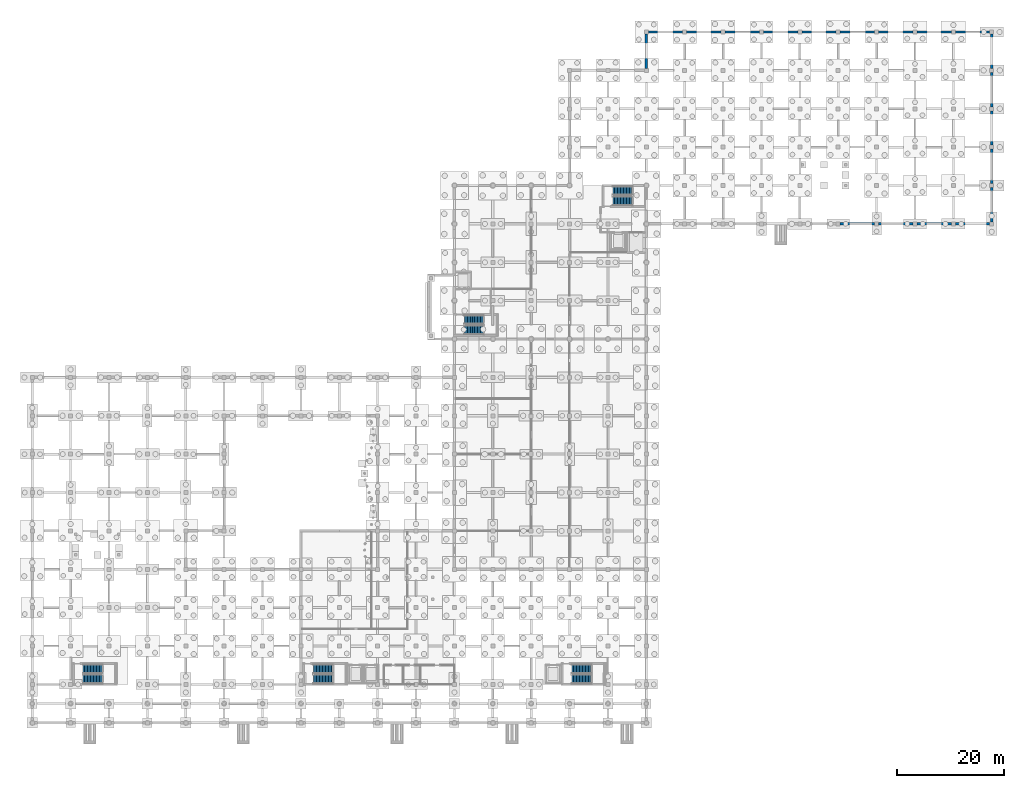
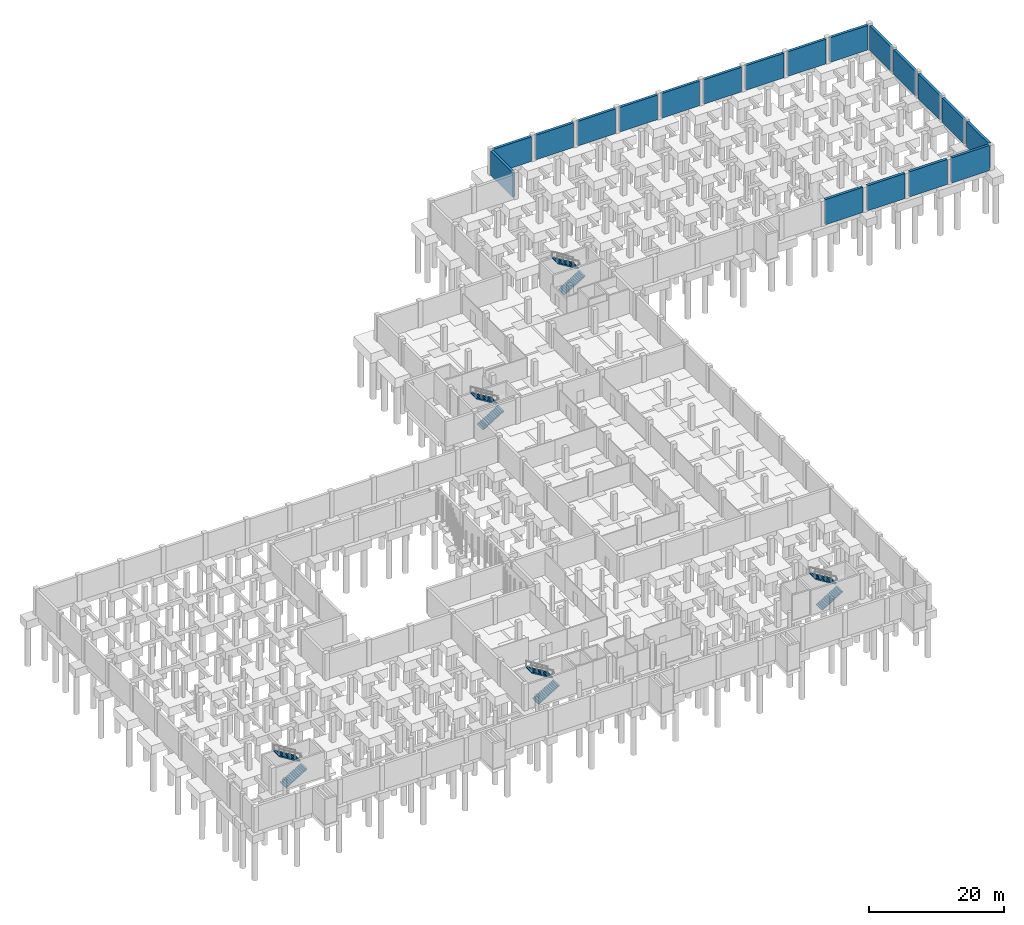
# One storey, part 29 of 35: 19 walls, 10 stair flights, 5 elements without a shape of their own.
"""IFC4 building model written with IfcOpenShell, lengths in metres."""

from ifc_helpers import new_model, si_unit, direction, frame, frame_2d, origin, place, context, subcontext, project, spatial, polyline, rectangle, outline, extrude, material, layer, layer_set, type_object, element, aggregate, save


model = new_model("IFC4")

# Units and contexts
model_context = context("Model", 3, precision=1e-05, world=origin(), true_north=direction((0.0, 1.0)))
body_context = subcontext(model_context, "Body", "Model", "MODEL_VIEW")
ifc_project = project(units=[si_unit("LENGTHUNIT", "METRE"), si_unit("AREAUNIT", "SQUARE_METRE"), si_unit("VOLUMEUNIT", "CUBIC_METRE"), si_unit("PLANEANGLEUNIT", "RADIAN"), si_unit("MASSUNIT", "GRAM", prefix="KILO"), si_unit("THERMODYNAMICTEMPERATUREUNIT", "KELVIN"), si_unit("POWERUNIT", "WATT")], contexts=[model_context])

# Site, building, storey
site_placement = place(None, origin())
site = spatial("IfcSite", under=ifc_project, at=site_placement, CompositionType="ELEMENT")
building_placement = place(site_placement, origin())
building = spatial("IfcBuilding", under=site, at=building_placement, Name="Kaldorven Railside Theatre", CompositionType="ELEMENT")
storey_placement = place(building_placement, frame((0.0, 0.0, -4.800048828125)))
storey = spatial("IfcBuildingStorey", under=building, at=storey_placement, Name="B1", CompositionType="ELEMENT", Elevation=-4.800048828125)

# Walls
ifc_material_1 = material(Name="Concrete C40/50", Category="concrete")
ifc_layer = layer(ifc_material_1, 0.449951171875, Name="Concrete C40/50")
ifc_layer_set = layer_set([ifc_layer], Name="Concrete C40/50")
wall_type = type_object("IfcWallType", Name="WL-EW01", PredefinedType="SHEAR", material=ifc_layer_set)
wall_1_placement = place(storey_placement, frame((123.199951171875, 134.77490234375, 0.0), z_axis=(0.0, 0.0, 1.0), x_axis=(0.0, 1.0, 0.0)))
element("IfcWall", 1, at=wall_1_placement, inside=storey, type_object=wall_type, Name="Basement Plinth Retaining Wall EW-0037", PredefinedType="SHEAR", context=body_context, shape_type="SweptSolid", body=[
    extrude(rectangle(XDim=6.4501953125, YDim=0.449951171875, at=frame_2d((3.22509765625, 0.0))), origin(), (0.0, 0.0, 1.0), 4.449951171875),
])
wall_2_placement = place(storey_placement, frame((123.574951171875, 141.60009765625, 0.0), z_axis=(0.0, 0.0, 1.0), x_axis=(1.0, 0.0, 0.0)))
element("IfcWall", 2, at=wall_2_placement, inside=storey, type_object=wall_type, Name="Basement Plinth Retaining Wall EW-0038", PredefinedType="SHEAR", context=body_context, shape_type="SweptSolid", body=[
    extrude(rectangle(XDim=6.449951171875, YDim=0.449951171875, at=frame_2d((3.22509765625, 0.0))), origin(), (0.0, 0.0, 1.0), 4.449951171875),
])
wall_3_placement = place(storey_placement, frame((130.77490234375, 141.60009765625, 0.0), z_axis=(0.0, 0.0, 1.0), x_axis=(1.0, 0.0, 0.0)))
element("IfcWall", 3, at=wall_3_placement, inside=storey, type_object=wall_type, Name="Basement Plinth Retaining Wall EW-0039", PredefinedType="SHEAR", context=body_context, shape_type="SweptSolid", body=[
    extrude(rectangle(XDim=6.4501953125, YDim=0.449951171875, at=frame_2d((3.22509765625, 0.0))), origin(), (0.0, 0.0, 1.0), 4.449951171875),
])
for number, where, z_axis, x_axis, name in (
    (4, (137.97509765625, 141.60009765625, 0.0), (0.0, 0.0, 1.0), (1.0, 0.0, 0.0), "Basement Plinth Retaining Wall EW-0040"),
    (5, (145.175048828125, 141.60009765625, 0.0), (0.0, 0.0, 1.0), (1.0, 0.0, 0.0), "Basement Plinth Retaining Wall EW-0041"),
    (6, (152.375, 141.60009765625, 0.0), (0.0, 0.0, 1.0), (1.0, 0.0, 0.0), "Basement Plinth Retaining Wall EW-0042"),
    (7, (159.574951171875, 141.60009765625, 0.0), (0.0, 0.0, 1.0), (1.0, 0.0, 0.0), "Basement Plinth Retaining Wall EW-0043"),
):
    element("IfcWall", number, at=place(storey_placement, frame(where, z_axis=z_axis, x_axis=x_axis)), inside=storey, type_object=wall_type, Name=name, PredefinedType="SHEAR", context=body_context, shape_type="SweptSolid", body=[
        extrude(rectangle(XDim=6.449951171875, YDim=0.449951171875, at=frame_2d((3.22509765625, 0.0))), origin(), (0.0, 0.0, 1.0), 4.449951171875),
    ])
wall_4_placement = place(storey_placement, frame((166.77490234375, 141.60009765625, 0.0), z_axis=(0.0, 0.0, 1.0), x_axis=(1.0, 0.0, 0.0)))
element("IfcWall", 8, at=wall_4_placement, inside=storey, type_object=wall_type, Name="Basement Plinth Retaining Wall EW-0044", PredefinedType="SHEAR", context=body_context, shape_type="SweptSolid", body=[
    extrude(rectangle(XDim=6.4501953125, YDim=0.449951171875, at=frame_2d((3.22509765625, 0.0))), origin(), (0.0, 0.0, 1.0), 4.449951171875),
])
for number, where, z_axis, x_axis, name in (
    (9, (173.97509765625, 141.60009765625, 0.0), (0.0, 0.0, 1.0), (1.0, 0.0, 0.0), "Basement Plinth Retaining Wall EW-0045"),
    (10, (181.175048828125, 141.60009765625, 0.0), (0.0, 0.0, 1.0), (1.0, 0.0, 0.0), "Basement Plinth Retaining Wall EW-0046"),
):
    element("IfcWall", number, at=place(storey_placement, frame(where, z_axis=z_axis, x_axis=x_axis)), inside=storey, type_object=wall_type, Name=name, PredefinedType="SHEAR", context=body_context, shape_type="SweptSolid", body=[
        extrude(rectangle(XDim=6.449951171875, YDim=0.449951171875, at=frame_2d((3.22509765625, 0.0))), origin(), (0.0, 0.0, 1.0), 4.449951171875),
    ])
wall_5_placement = place(storey_placement, frame((188.0, 141.22509765625, 0.0), z_axis=(0.0, 0.0, 1.0), x_axis=(0.0, -1.0, 0.0)))
element("IfcWall", 11, at=wall_5_placement, inside=storey, type_object=wall_type, Name="Basement Plinth Retaining Wall EW-0047", PredefinedType="SHEAR", context=body_context, shape_type="SweptSolid", body=[
    extrude(rectangle(XDim=6.4501953125, YDim=0.449951171875, at=frame_2d((3.22509765625, 0.0))), origin(), (0.0, 0.0, 1.0), 4.449951171875),
])
for number, where, z_axis, x_axis, name in (
    (12, (188.0, 134.02490234375, 0.0), (0.0, 0.0, 1.0), (0.0, -1.0, 0.0), "Basement Plinth Retaining Wall EW-0048"),
    (13, (188.0, 126.824951171875, 0.0), (0.0, 0.0, 1.0), (0.0, -1.0, 0.0), "Basement Plinth Retaining Wall EW-0049"),
    (14, (188.0, 119.625, 0.0), (0.0, 0.0, 1.0), (0.0, -1.0, 0.0), "Basement Plinth Retaining Wall EW-0050"),
):
    element("IfcWall", number, at=place(storey_placement, frame(where, z_axis=z_axis, x_axis=x_axis)), inside=storey, type_object=wall_type, Name=name, PredefinedType="SHEAR", context=body_context, shape_type="SweptSolid", body=[
        extrude(rectangle(XDim=6.449951171875, YDim=0.449951171875, at=frame_2d((3.22509765625, 0.0))), origin(), (0.0, 0.0, 1.0), 4.449951171875),
    ])
for number, where, z_axis, x_axis, name in (
    (15, (188.0, 112.425048828125, 0.0), (0.0, 0.0, 1.0), (0.0, -1.0, 0.0), "Basement Plinth Retaining Wall EW-0051"),
    (16, (187.625, 105.60009765625, 0.0), (0.0, 0.0, 1.0), (-1.0, 0.0, 0.0), "Basement Plinth Retaining Wall EW-0052"),
    (17, (180.425048828125, 105.60009765625, 0.0), (0.0, 0.0, 1.0), (-1.0, 0.0, 0.0), "Basement Plinth Retaining Wall EW-0053"),
):
    element("IfcWall", number, at=place(storey_placement, frame(where, z_axis=z_axis, x_axis=x_axis)), inside=storey, type_object=wall_type, Name=name, PredefinedType="SHEAR", context=body_context, shape_type="SweptSolid", body=[
        extrude(rectangle(XDim=6.449951171875, YDim=0.449951171875, at=frame_2d((3.22509765625, 0.0))), origin(), (0.0, 0.0, 1.0), 4.550048828125),
    ])
wall_6_placement = place(storey_placement, frame((173.22509765625, 105.60009765625, 0.0), z_axis=(0.0, 0.0, 1.0), x_axis=(-1.0, 0.0, 0.0)))
element("IfcWall", 18, at=wall_6_placement, inside=storey, type_object=wall_type, Name="Basement Plinth Retaining Wall EW-0054", PredefinedType="SHEAR", context=body_context, shape_type="SweptSolid", body=[
    extrude(rectangle(XDim=6.4501953125, YDim=0.449951171875, at=frame_2d((3.22509765625, 0.0))), origin(), (0.0, 0.0, 1.0), 4.550048828125),
])
wall_7_placement = place(storey_placement, frame((166.02490234375, 105.60009765625, 0.0), z_axis=(0.0, 0.0, 1.0), x_axis=(-1.0, 0.0, 0.0)))
element("IfcWall", 19, at=wall_7_placement, inside=storey, type_object=wall_type, Name="Basement Plinth Retaining Wall EW-0055", PredefinedType="SHEAR", context=body_context, shape_type="SweptSolid", body=[
    extrude(rectangle(XDim=6.449951171875, YDim=0.449951171875, at=frame_2d((3.22509765625, 0.0))), origin(), (0.0, 0.0, 1.0), 4.550048828125),
])

# Stair, stair flights
ifc_material_2 = material(Name="Concrete C35/45", Category="concrete")
stair_type = type_object("IfcStairType", Name="STR-DL-01", PredefinedType="HALF_TURN_STAIR", material=ifc_material_2)
stair_1_placement = place(storey_placement, origin())
stair_1 = element("IfcStair", 20, at=stair_1_placement, inside=storey, type_object=stair_type, Name="B1 Core C-SW Escape Stair ST-01", PredefinedType="HALF_TURN_STAIR")
stair_flight_type = type_object("IfcStairFlightType", Name="STF-DL-01", PredefinedType="STRAIGHT", material=ifc_material_2)
stair_flight_1_placement = place(storey_placement, frame((17.550048828125, 20.199951171875, 0.0), z_axis=(0.0, 0.0, 1.0), x_axis=(1.0, 0.0, 0.0)))
stair_flight_1 = element("IfcStairFlight", 21, at=stair_flight_1_placement, type_object=stair_flight_type, Name="ST-01 flight 1", NumberOfRisers=14, NumberOfTreads=13, PredefinedType="STRAIGHT", RiserHeight=0.171428571, TreadLength=0.28, context=body_context, shape_type="SweptSolid", body=[
    extrude(outline(polyline([(0.0, 0.0), (0.0, 0.17138671875), (0.280029296875, 0.17138671875), (0.280029296875, 0.3427734375), (0.56005859375, 0.3427734375), (0.56005859375, 0.514404296875), (0.840087890625, 0.514404296875), (0.840087890625, 0.685791015625), (1.1201171875, 0.685791015625), (1.1201171875, 0.857177734375), (1.39990234375, 0.857177734375), (1.39990234375, 1.028564453125), (1.679931640625, 1.028564453125), (1.679931640625, 1.199951171875), (1.9599609375, 1.199951171875), (1.9599609375, 1.371337890625), (2.239990234375, 1.371337890625), (2.239990234375, 1.54296875), (2.52001953125, 1.54296875), (2.52001953125, 1.71435546875), (2.800048828125, 1.71435546875), (2.800048828125, 1.8857421875), (3.080078125, 1.8857421875), (3.080078125, 2.05712890625), (3.360107421875, 2.05712890625), (3.360107421875, 2.228515625), (3.639892578125, 2.228515625), (3.639892578125, 2.39990234375), (3.639892578125, 2.052734375), (0.287109375, 0.0), (0.0, 0.0)])), frame((0.0, 0.85009765625, 0.0), z_axis=(0.0, -1.0, 0.0), x_axis=(1.0, 0.0, 0.0)), (0.0, 0.0, 1.0), 1.699951171875),
])
stair_flight_2_placement = place(storey_placement, frame((21.18994140625, 22.10009765625, 2.400146484375), z_axis=(0.0, 0.0, 1.0), x_axis=(-1.0, 0.0, 0.0)))
stair_flight_2 = element("IfcStairFlight", 22, at=stair_flight_2_placement, type_object=stair_flight_type, Name="ST-01 flight 2", NumberOfRisers=14, NumberOfTreads=13, PredefinedType="STRAIGHT", RiserHeight=0.171428571, TreadLength=0.28, context=body_context, shape_type="SweptSolid", body=[
    extrude(outline(polyline([(0.0, 0.0), (0.0, 0.17138671875), (0.280029296875, 0.17138671875), (0.280029296875, 0.3427734375), (0.56005859375, 0.3427734375), (0.56005859375, 0.514404296875), (0.840087890625, 0.514404296875), (0.840087890625, 0.685791015625), (1.1201171875, 0.685791015625), (1.1201171875, 0.857177734375), (1.39990234375, 0.857177734375), (1.39990234375, 1.028564453125), (1.679931640625, 1.028564453125), (1.679931640625, 1.199951171875), (1.9599609375, 1.199951171875), (1.9599609375, 1.371337890625), (2.239990234375, 1.371337890625), (2.239990234375, 1.54296875), (2.52001953125, 1.54296875), (2.52001953125, 1.71435546875), (2.800048828125, 1.71435546875), (2.800048828125, 1.8857421875), (3.080078125, 1.8857421875), (3.080078125, 2.05712890625), (3.360107421875, 2.05712890625), (3.360107421875, 2.228515625), (3.639892578125, 2.228515625), (3.639892578125, 2.39990234375), (3.639892578125, 2.052734375), (0.287109375, 0.0), (0.0, 0.0)])), frame((0.0, 0.85009765625, 0.0), z_axis=(0.0, -1.0, 0.0), x_axis=(1.0, 0.0, 0.0)), (0.0, 0.0, 1.0), 1.699951171875),
])
aggregate(stair_1, [stair_flight_1, stair_flight_2])

stair_2_placement = place(storey_placement, origin())
stair_2 = element("IfcStair", 23, at=stair_2_placement, inside=storey, type_object=stair_type, Name="B1 Core C-FS Escape Stair ST-03", PredefinedType="HALF_TURN_STAIR")
stair_flight_3_placement = place(storey_placement, frame((60.75, 20.199951171875, 0.0), z_axis=(0.0, 0.0, 1.0), x_axis=(1.0, 0.0, 0.0)))
stair_flight_3 = element("IfcStairFlight", 24, at=stair_flight_3_placement, type_object=stair_flight_type, Name="ST-03 flight 1", NumberOfRisers=14, NumberOfTreads=13, PredefinedType="STRAIGHT", RiserHeight=0.171428571, TreadLength=0.28, context=body_context, shape_type="SweptSolid", body=[
    extrude(outline(polyline([(0.0, 0.0), (0.0, 0.17138671875), (0.280029296875, 0.17138671875), (0.280029296875, 0.3427734375), (0.56005859375, 0.3427734375), (0.56005859375, 0.514404296875), (0.840087890625, 0.514404296875), (0.840087890625, 0.685791015625), (1.1201171875, 0.685791015625), (1.1201171875, 0.857177734375), (1.39990234375, 0.857177734375), (1.39990234375, 1.028564453125), (1.679931640625, 1.028564453125), (1.679931640625, 1.199951171875), (1.9599609375, 1.199951171875), (1.9599609375, 1.371337890625), (2.239990234375, 1.371337890625), (2.239990234375, 1.54296875), (2.52001953125, 1.54296875), (2.52001953125, 1.71435546875), (2.800048828125, 1.71435546875), (2.800048828125, 1.8857421875), (3.080078125, 1.8857421875), (3.080078125, 2.05712890625), (3.360107421875, 2.05712890625), (3.360107421875, 2.228515625), (3.639892578125, 2.228515625), (3.639892578125, 2.39990234375), (3.639892578125, 2.052734375), (0.287109375, 0.0), (0.0, 0.0)])), frame((0.0, 0.85009765625, 0.0), z_axis=(0.0, -1.0, 0.0), x_axis=(1.0, 0.0, 0.0)), (0.0, 0.0, 1.0), 1.699951171875),
])
stair_flight_4_placement = place(storey_placement, frame((64.389892578125, 22.10009765625, 2.400146484375), z_axis=(0.0, 0.0, 1.0), x_axis=(-1.0, 0.0, 0.0)))
stair_flight_4 = element("IfcStairFlight", 25, at=stair_flight_4_placement, type_object=stair_flight_type, Name="ST-03 flight 2", NumberOfRisers=14, NumberOfTreads=13, PredefinedType="STRAIGHT", RiserHeight=0.171428571, TreadLength=0.28, context=body_context, shape_type="SweptSolid", body=[
    extrude(outline(polyline([(0.0, 0.0), (0.0, 0.17138671875), (0.280029296875, 0.17138671875), (0.280029296875, 0.3427734375), (0.56005859375, 0.3427734375), (0.56005859375, 0.514404296875), (0.840087890625, 0.514404296875), (0.840087890625, 0.685791015625), (1.1201171875, 0.685791015625), (1.1201171875, 0.857177734375), (1.39990234375, 0.857177734375), (1.39990234375, 1.028564453125), (1.679931640625, 1.028564453125), (1.679931640625, 1.199951171875), (1.9599609375, 1.199951171875), (1.9599609375, 1.371337890625), (2.239990234375, 1.371337890625), (2.239990234375, 1.54296875), (2.52001953125, 1.54296875), (2.52001953125, 1.71435546875), (2.800048828125, 1.71435546875), (2.800048828125, 1.8857421875), (3.080078125, 1.8857421875), (3.080078125, 2.05712890625), (3.360107421875, 2.05712890625), (3.360107421875, 2.228515625), (3.639892578125, 2.228515625), (3.639892578125, 2.39990234375), (3.639892578125, 2.052734375), (0.287109375, 0.0), (0.0, 0.0)])), frame((0.0, 0.85009765625, 0.0), z_axis=(0.0, -1.0, 0.0), x_axis=(1.0, 0.0, 0.0)), (0.0, 0.0, 1.0), 1.699951171875),
])
aggregate(stair_2, [stair_flight_3, stair_flight_4])

stair_3_placement = place(storey_placement, origin())
stair_3 = element("IfcStair", 26, at=stair_3_placement, inside=storey, type_object=stair_type, Name="B1 Core C-SE Escape Stair ST-04", PredefinedType="HALF_TURN_STAIR")
stair_flight_5_placement = place(storey_placement, frame((109.25, 20.199951171875, 0.0), z_axis=(0.0, 0.0, 1.0), x_axis=(1.0, 0.0, 0.0)))
stair_flight_5 = element("IfcStairFlight", 27, at=stair_flight_5_placement, type_object=stair_flight_type, Name="ST-04 flight 1", NumberOfRisers=14, NumberOfTreads=13, PredefinedType="STRAIGHT", RiserHeight=0.171428571, TreadLength=0.28, context=body_context, shape_type="SweptSolid", body=[
    extrude(outline(polyline([(0.0, 0.0), (0.0, 0.17138671875), (0.280029296875, 0.17138671875), (0.280029296875, 0.3427734375), (0.56005859375, 0.3427734375), (0.56005859375, 0.514404296875), (0.840087890625, 0.514404296875), (0.840087890625, 0.685791015625), (1.1201171875, 0.685791015625), (1.1201171875, 0.857177734375), (1.39990234375, 0.857177734375), (1.39990234375, 1.028564453125), (1.679931640625, 1.028564453125), (1.679931640625, 1.199951171875), (1.9599609375, 1.199951171875), (1.9599609375, 1.371337890625), (2.239990234375, 1.371337890625), (2.239990234375, 1.54296875), (2.52001953125, 1.54296875), (2.52001953125, 1.71435546875), (2.800048828125, 1.71435546875), (2.800048828125, 1.8857421875), (3.080078125, 1.8857421875), (3.080078125, 2.05712890625), (3.360107421875, 2.05712890625), (3.360107421875, 2.228515625), (3.639892578125, 2.228515625), (3.639892578125, 2.39990234375), (3.639892578125, 2.052734375), (0.287109375, 0.0), (0.0, 0.0)])), frame((0.0, 0.85009765625, 0.0), z_axis=(0.0, -1.0, 0.0), x_axis=(1.0, 0.0, 0.0)), (0.0, 0.0, 1.0), 1.699951171875),
])
stair_flight_6_placement = place(storey_placement, frame((112.889892578125, 22.10009765625, 2.400146484375), z_axis=(0.0, 0.0, 1.0), x_axis=(-1.0, 0.0, 0.0)))
stair_flight_6 = element("IfcStairFlight", 28, at=stair_flight_6_placement, type_object=stair_flight_type, Name="ST-04 flight 2", NumberOfRisers=14, NumberOfTreads=13, PredefinedType="STRAIGHT", RiserHeight=0.171428571, TreadLength=0.28, context=body_context, shape_type="SweptSolid", body=[
    extrude(outline(polyline([(0.0, 0.0), (0.0, 0.17138671875), (0.280029296875, 0.17138671875), (0.280029296875, 0.3427734375), (0.56005859375, 0.3427734375), (0.56005859375, 0.514404296875), (0.840087890625, 0.514404296875), (0.840087890625, 0.685791015625), (1.1201171875, 0.685791015625), (1.1201171875, 0.857177734375), (1.39990234375, 0.857177734375), (1.39990234375, 1.028564453125), (1.679931640625, 1.028564453125), (1.679931640625, 1.199951171875), (1.9599609375, 1.199951171875), (1.9599609375, 1.371337890625), (2.239990234375, 1.371337890625), (2.239990234375, 1.54296875), (2.52001953125, 1.54296875), (2.52001953125, 1.71435546875), (2.800048828125, 1.71435546875), (2.800048828125, 1.8857421875), (3.080078125, 1.8857421875), (3.080078125, 2.05712890625), (3.360107421875, 2.05712890625), (3.360107421875, 2.228515625), (3.639892578125, 2.228515625), (3.639892578125, 2.39990234375), (3.639892578125, 2.052734375), (0.287109375, 0.0), (0.0, 0.0)])), frame((0.0, 0.85009765625, 0.0), z_axis=(0.0, -1.0, 0.0), x_axis=(1.0, 0.0, 0.0)), (0.0, 0.0, 1.0), 1.699951171875),
])
aggregate(stair_3, [stair_flight_5, stair_flight_6])

stair_4_placement = place(storey_placement, origin())
stair_4 = element("IfcStair", 29, at=stair_4_placement, inside=storey, type_object=stair_type, Name="B1 Core C-STW Escape Stair ST-05", PredefinedType="HALF_TURN_STAIR")
stair_flight_7_placement = place(storey_placement, frame((89.050048828125, 85.699951171875, 0.0), z_axis=(0.0, 0.0, 1.0), x_axis=(1.0, 0.0, 0.0)))
stair_flight_7 = element("IfcStairFlight", 30, at=stair_flight_7_placement, type_object=stair_flight_type, Name="ST-05 flight 1", NumberOfRisers=14, NumberOfTreads=13, PredefinedType="STRAIGHT", RiserHeight=0.171428571, TreadLength=0.28, context=body_context, shape_type="SweptSolid", body=[
    extrude(outline(polyline([(0.0, 0.0), (0.0, 0.17138671875), (0.280029296875, 0.17138671875), (0.280029296875, 0.3427734375), (0.56005859375, 0.3427734375), (0.56005859375, 0.514404296875), (0.840087890625, 0.514404296875), (0.840087890625, 0.685791015625), (1.1201171875, 0.685791015625), (1.1201171875, 0.857177734375), (1.39990234375, 0.857177734375), (1.39990234375, 1.028564453125), (1.679931640625, 1.028564453125), (1.679931640625, 1.199951171875), (1.9599609375, 1.199951171875), (1.9599609375, 1.371337890625), (2.239990234375, 1.371337890625), (2.239990234375, 1.54296875), (2.52001953125, 1.54296875), (2.52001953125, 1.71435546875), (2.800048828125, 1.71435546875), (2.800048828125, 1.8857421875), (3.080078125, 1.8857421875), (3.080078125, 2.05712890625), (3.360107421875, 2.05712890625), (3.360107421875, 2.228515625), (3.639892578125, 2.228515625), (3.639892578125, 2.39990234375), (3.639892578125, 2.052734375), (0.287109375, 0.0), (0.0, 0.0)])), frame((0.0, 0.85009765625, 0.0), z_axis=(0.0, -1.0, 0.0), x_axis=(1.0, 0.0, 0.0)), (0.0, 0.0, 1.0), 1.699951171875),
])
stair_flight_8_placement = place(storey_placement, frame((92.68994140625, 87.60009765625, 2.400146484375), z_axis=(0.0, 0.0, 1.0), x_axis=(-1.0, 0.0, 0.0)))
stair_flight_8 = element("IfcStairFlight", 31, at=stair_flight_8_placement, type_object=stair_flight_type, Name="ST-05 flight 2", NumberOfRisers=14, NumberOfTreads=13, PredefinedType="STRAIGHT", RiserHeight=0.171428571, TreadLength=0.28, context=body_context, shape_type="SweptSolid", body=[
    extrude(outline(polyline([(0.0, 0.0), (0.0, 0.17138671875), (0.280029296875, 0.17138671875), (0.280029296875, 0.3427734375), (0.56005859375, 0.3427734375), (0.56005859375, 0.514404296875), (0.840087890625, 0.514404296875), (0.840087890625, 0.685791015625), (1.1201171875, 0.685791015625), (1.1201171875, 0.857177734375), (1.39990234375, 0.857177734375), (1.39990234375, 1.028564453125), (1.679931640625, 1.028564453125), (1.679931640625, 1.199951171875), (1.9599609375, 1.199951171875), (1.9599609375, 1.371337890625), (2.239990234375, 1.371337890625), (2.239990234375, 1.54296875), (2.52001953125, 1.54296875), (2.52001953125, 1.71435546875), (2.800048828125, 1.71435546875), (2.800048828125, 1.8857421875), (3.080078125, 1.8857421875), (3.080078125, 2.05712890625), (3.360107421875, 2.05712890625), (3.360107421875, 2.228515625), (3.639892578125, 2.228515625), (3.639892578125, 2.39990234375), (3.639892578125, 2.052734375), (0.287109375, 0.0), (0.0, 0.0)])), frame((0.0, 0.85009765625, 0.0), z_axis=(0.0, -1.0, 0.0), x_axis=(1.0, 0.0, 0.0)), (0.0, 0.0, 1.0), 1.699951171875),
])
aggregate(stair_4, [stair_flight_7, stair_flight_8])

stair_5_placement = place(storey_placement, origin())
stair_5 = element("IfcStair", 32, at=stair_5_placement, inside=storey, type_object=stair_type, Name="B1 Core C-STE Escape Stair ST-06", PredefinedType="HALF_TURN_STAIR")
stair_flight_9_placement = place(storey_placement, frame((116.949951171875, 109.89990234375, 0.0), z_axis=(0.0, 0.0, 1.0), x_axis=(1.0, 0.0, 0.0)))
stair_flight_9 = element("IfcStairFlight", 33, at=stair_flight_9_placement, type_object=stair_flight_type, Name="ST-06 flight 1", NumberOfRisers=14, NumberOfTreads=13, PredefinedType="STRAIGHT", RiserHeight=0.171428571, TreadLength=0.28, context=body_context, shape_type="SweptSolid", body=[
    extrude(outline(polyline([(0.0, 0.0), (0.0, 0.17138671875), (0.280029296875, 0.17138671875), (0.280029296875, 0.3427734375), (0.56005859375, 0.3427734375), (0.56005859375, 0.514404296875), (0.840087890625, 0.514404296875), (0.840087890625, 0.685791015625), (1.1201171875, 0.685791015625), (1.1201171875, 0.857177734375), (1.39990234375, 0.857177734375), (1.39990234375, 1.028564453125), (1.679931640625, 1.028564453125), (1.679931640625, 1.199951171875), (1.9599609375, 1.199951171875), (1.9599609375, 1.371337890625), (2.239990234375, 1.371337890625), (2.239990234375, 1.54296875), (2.52001953125, 1.54296875), (2.52001953125, 1.71435546875), (2.800048828125, 1.71435546875), (2.800048828125, 1.8857421875), (3.080078125, 1.8857421875), (3.080078125, 2.05712890625), (3.360107421875, 2.05712890625), (3.360107421875, 2.228515625), (3.639892578125, 2.228515625), (3.639892578125, 2.39990234375), (3.639892578125, 2.052734375), (0.287109375, 0.0), (0.0, 0.0)])), frame((0.0, 0.85009765625, 0.0), z_axis=(0.0, -1.0, 0.0), x_axis=(1.0, 0.0, 0.0)), (0.0, 0.0, 1.0), 1.699951171875),
])
stair_flight_10_placement = place(storey_placement, frame((120.590087890625, 111.800048828125, 2.400146484375), z_axis=(0.0, 0.0, 1.0), x_axis=(-1.0, 0.0, 0.0)))
stair_flight_10 = element("IfcStairFlight", 34, at=stair_flight_10_placement, type_object=stair_flight_type, Name="ST-06 flight 2", NumberOfRisers=14, NumberOfTreads=13, PredefinedType="STRAIGHT", RiserHeight=0.171428571, TreadLength=0.28, context=body_context, shape_type="SweptSolid", body=[
    extrude(outline(polyline([(0.0, 0.0), (0.0, 0.17138671875), (0.280029296875, 0.17138671875), (0.280029296875, 0.3427734375), (0.56005859375, 0.3427734375), (0.56005859375, 0.514404296875), (0.840087890625, 0.514404296875), (0.840087890625, 0.685791015625), (1.1201171875, 0.685791015625), (1.1201171875, 0.857177734375), (1.39990234375, 0.857177734375), (1.39990234375, 1.028564453125), (1.679931640625, 1.028564453125), (1.679931640625, 1.199951171875), (1.9599609375, 1.199951171875), (1.9599609375, 1.371337890625), (2.239990234375, 1.371337890625), (2.239990234375, 1.54296875), (2.52001953125, 1.54296875), (2.52001953125, 1.71435546875), (2.800048828125, 1.71435546875), (2.800048828125, 1.8857421875), (3.080078125, 1.8857421875), (3.080078125, 2.05712890625), (3.360107421875, 2.05712890625), (3.360107421875, 2.228515625), (3.639892578125, 2.228515625), (3.639892578125, 2.39990234375), (3.639892578125, 2.052734375), (0.287109375, 0.0), (0.0, 0.0)])), frame((0.0, 0.85009765625, 0.0), z_axis=(0.0, -1.0, 0.0), x_axis=(1.0, 0.0, 0.0)), (0.0, 0.0, 1.0), 1.699951171875),
])
aggregate(stair_5, [stair_flight_9, stair_flight_10])

save(model, "model.ifc")
